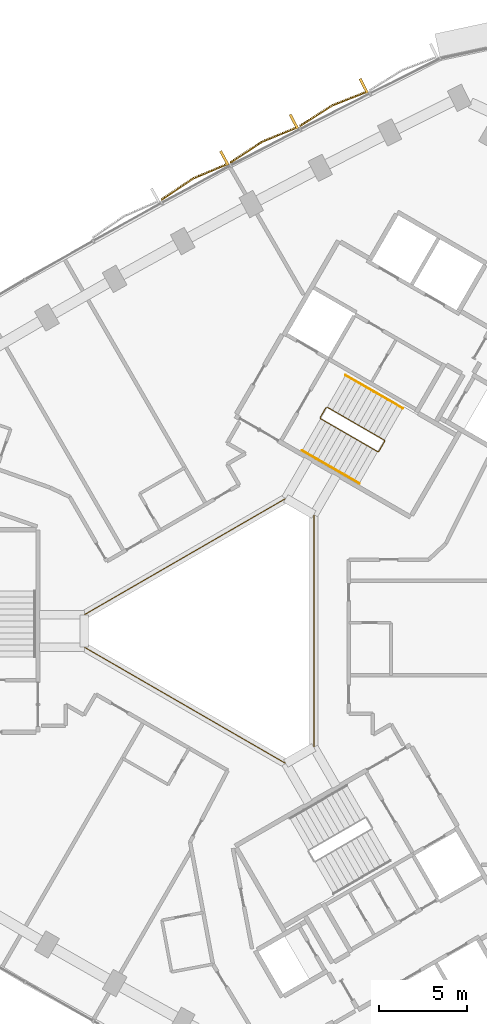
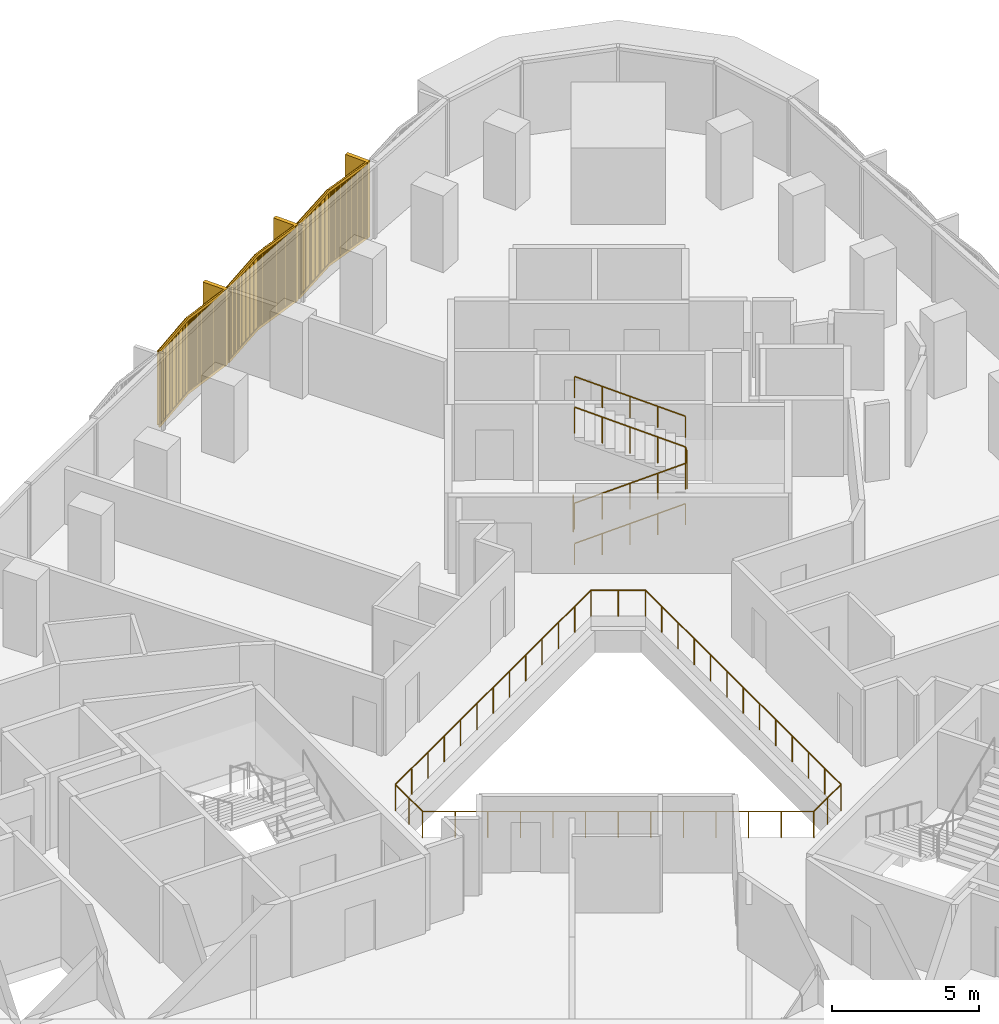
# One storey, part 14 of 15: 4 railings, 3 coverings.
"""IFC4 building model written with IfcOpenShell, lengths in metres."""

import ifcopenshell
import ifcopenshell.guid

model = None  # the IFC model being written
_history = None  # IfcOwnerHistory: only IFC2X3 demands one
_inside = {}  # id of a spatial element -> (the spatial element, [elements in it])
_under = {}  # id of a project, library or spatial element -> (it, [spatial elements below it])
_declared = {}  # id of a project -> (the project, [libraries it declares])
_typed = {}  # id of a type object -> (the type object, [elements of that type])
_made_of = {}  # id of a material, layer set ... -> (it, [elements and type objects made of it])


def new_model(schema):
    """Start an empty IFC model of exactly this schema.

    Asked for "IFC4X3", IfcOpenShell would pick the latest addendum, in which some entities
    have other attributes; the version numbers below select the first issue.
    IFC2X3 requires an IfcOwnerHistory on every rooted entity: one is made here for all.
    """
    global model, _history
    if schema == "IFC4X3":
        model = ifcopenshell.file(schema_version=(4, 3, 0, 0))
    else:
        model = ifcopenshell.file(schema=schema)
    _inside.clear()
    _under.clear()
    _declared.clear()
    _typed.clear()
    _made_of.clear()
    _history = None
    if model.schema == "IFC2X3":
        org = make("IfcOrganization", Name="unknown")
        user = make(
            "IfcPersonAndOrganization",
            ThePerson=make("IfcPerson", FamilyName="unknown"),
            TheOrganization=org,
        )
        app = make(
            "IfcApplication",
            ApplicationDeveloper=org,
            Version="unknown",
            ApplicationFullName="unknown",
            ApplicationIdentifier="unknown",
        )
        _history = make(
            "IfcOwnerHistory",
            OwningUser=user,
            OwningApplication=app,
            ChangeAction="ADDED",
            CreationDate=0,
        )
    return model


def make(cls, **values):
    """One entity of the class cls with the attributes given. An attribute that is None is left unset."""
    return model.create_entity(
        cls, **{name: value for name, value in values.items() if value is not None}
    )


def rooted(cls, **values):
    """An entity with a GlobalId (a new one), such as an element, a storey or a relation."""
    return make(cls, GlobalId=ifcopenshell.guid.new(), OwnerHistory=_history, **values)


def si_unit(unit_type, name, prefix=None):
    """IfcSIUnit, for example si_unit("LENGTHUNIT", "METRE", prefix="MILLI")."""
    return make("IfcSIUnit", UnitType=unit_type, Prefix=prefix, Name=name)


def assignment(units):
    """IfcUnitAssignment: the units of a project."""
    return None if units is None else make("IfcUnitAssignment", Units=units)


def point(xyz):
    """IfcCartesianPoint."""
    return None if xyz is None else make("IfcCartesianPoint", Coordinates=xyz)


def direction(xyz):
    """IfcDirection."""
    return None if xyz is None else make("IfcDirection", DirectionRatios=xyz)


def frame(location, z_axis=None, x_axis=None):
    """IfcAxis2Placement3D, a coordinate frame: its origin and axes. An axis left out is left unset."""
    return make(
        "IfcAxis2Placement3D",
        Location=point(location),
        Axis=direction(z_axis),
        RefDirection=direction(x_axis),
    )


def frame_2d(location, x_axis=None):
    """IfcAxis2Placement2D, a coordinate frame in the plane: its origin and x axis."""
    return make(
        "IfcAxis2Placement2D", Location=point(location), RefDirection=direction(x_axis)
    )


def origin():
    """The frame at (0, 0, 0) with its axes left unset."""
    return frame((0.0, 0.0, 0.0))


def origin_2d():
    """The frame at (0, 0) in the plane with its x axis left unset."""
    return frame_2d((0.0, 0.0))


def place(relative_to, where):
    """IfcLocalPlacement: puts the frame where relative to a parent placement (None: the world)."""
    return make(
        "IfcLocalPlacement", PlacementRelTo=relative_to, RelativePlacement=where
    )


def context(
    kind, dimensions, precision=None, world=None, true_north=None, identifier=None
):
    """IfcGeometricRepresentationContext, for example the 3D "Model" context."""
    return make(
        "IfcGeometricRepresentationContext",
        ContextIdentifier=identifier,
        ContextType=kind,
        CoordinateSpaceDimension=dimensions,
        Precision=precision,
        WorldCoordinateSystem=world,
        TrueNorth=true_north,
    )


def subcontext(parent, identifier, kind, view, scale=None):
    """IfcGeometricRepresentationSubContext, for example "Body" below "Model"."""
    return make(
        "IfcGeometricRepresentationSubContext",
        ContextIdentifier=identifier,
        ContextType=kind,
        ParentContext=parent,
        TargetScale=scale,
        TargetView=view,
    )


def project(units=None, contexts=None):
    """IfcProject with its units and contexts."""
    return rooted(
        "IfcProject",
        Name="project",
        RepresentationContexts=contexts,
        UnitsInContext=assignment(units),
    )


def spatial(cls, under=None, at=None, **own):
    """A site, building, storey or space (cls), placed at a placement, below another one or the project."""
    s = rooted(cls, ObjectPlacement=at, **own)
    if under is not None:
        _under.setdefault(under.id(), (under, []))[1].append(s)
    return s


def profile(cls, at=None, kind="AREA", **sizes):
    """A parametric profile (cls). Its sizes go by their IFC names, for example OverallWidth=200.0."""
    return make(cls, ProfileType=kind, Position=at, **sizes)


def rectangle(**sizes):
    """IfcRectangleProfileDef."""
    return profile("IfcRectangleProfileDef", **sizes)


def circle(**sizes):
    """IfcCircleProfileDef."""
    return profile("IfcCircleProfileDef", **sizes)


def extrude(swept, where, along, depth):
    """IfcExtrudedAreaSolid: the profile swept, set in the frame where, extruded along a direction by depth."""
    return make(
        "IfcExtrudedAreaSolid",
        SweptArea=swept,
        Position=where,
        ExtrudedDirection=direction(along),
        Depth=depth,
    )


def shape(context_of_items, identifier, shape_type, items):
    """IfcShapeRepresentation: the items that make up one representation, for example the "Body"."""
    return make(
        "IfcShapeRepresentation",
        ContextOfItems=context_of_items,
        RepresentationIdentifier=identifier,
        RepresentationType=shape_type,
        Items=items,
    )


def source(mapping_origin, context_of_items, identifier, shape_type, items):
    """IfcRepresentationMap: a shape defined once, which mapped items show again and again."""
    return make(
        "IfcRepresentationMap",
        MappingOrigin=mapping_origin,
        MappedRepresentation=shape(context_of_items, identifier, shape_type, items),
    )


def transform(
    local_origin,
    x_axis=None,
    y_axis=None,
    z_axis=None,
    scale=None,
    scale2=None,
    scale3=None,
    uniform=True,
):
    """IfcCartesianTransformationOperator3D, or its non-uniform kind. x_axis, y_axis, z_axis: its Axis1, 2, 3."""
    if uniform:
        return make(
            "IfcCartesianTransformationOperator3D",
            Axis1=direction(x_axis),
            Axis2=direction(y_axis),
            LocalOrigin=point(local_origin),
            Scale=scale,
            Axis3=direction(z_axis),
        )
    return make(
        "IfcCartesianTransformationOperator3DnonUniform",
        Axis1=direction(x_axis),
        Axis2=direction(y_axis),
        LocalOrigin=point(local_origin),
        Scale=scale,
        Axis3=direction(z_axis),
        Scale2=scale2,
        Scale3=scale3,
    )


def mapped(mapping_source, mapping_target):
    """IfcMappedItem: shows the shape of a source again, moved by a transform."""
    return make(
        "IfcMappedItem", MappingSource=mapping_source, MappingTarget=mapping_target
    )


def material(Name=None, Category=None):
    """IfcMaterial."""
    return make("IfcMaterial", Name=Name, Category=Category)


def made_of(thing, what):
    """Note that an element or type object is made of a material, layer set ...; save() writes the relation."""
    if what is not None:
        _made_of.setdefault(what.id(), (what, []))[1].append(thing)
    return thing


def type_object(cls, material=None, **own):
    """A type object (cls), such as IfcWallType, which elements share."""
    return made_of(rooted(cls, **own), material)


def element(
    cls,
    number,
    at=None,
    inside=None,
    cuts=None,
    type_object=None,
    material=None,
    context=None,
    identifier="Body",
    shape_type=None,
    held_by="IfcProductDefinitionShape",
    body=None,
    shapes=None,
    **own,
):
    """One element of the class cls, such as IfcWall. Its Tag is "e" and its number.

    at: its placement. inside: the storey or other place that contains it. cuts: it is an
    opening in that element (IfcRelVoidsElement). A single representation is given by context,
    identifier, shape_type and body (its items); several are given by shapes. held_by: the class
    of the entity that holds the representations. save() writes the other relations.
    """
    e = rooted(cls, Tag="e%d" % number, ObjectPlacement=at, **own)
    if body is not None:
        shapes = [shape(context, identifier, shape_type, body)]
    if shapes is not None:
        e.Representation = make(held_by, Representations=shapes)
    if inside is not None:
        _inside.setdefault(inside.id(), (inside, []))[1].append(e)
    if cuts is not None:
        rooted(
            "IfcRelVoidsElement", RelatingBuildingElement=cuts, RelatedOpeningElement=e
        )
    if type_object is not None:
        _typed.setdefault(type_object.id(), (type_object, []))[1].append(e)
    return made_of(e, material)


def aggregate(whole, parts):
    """IfcRelAggregates: a whole, such as a stair, and the parts it consists of."""
    return rooted("IfcRelAggregates", RelatingObject=whole, RelatedObjects=parts)


def save(model, path):
    """Write the relations noted so far, then the file.

    IfcRelAggregates (storeys below a building ...), IfcRelContainedInSpatialStructure (elements
    in a storey), IfcRelDefinesByType, IfcRelAssociatesMaterial and IfcRelDeclares: one each for
    every whole, place, type object, material and project.
    """
    for whole, parts in _under.values():
        aggregate(whole, parts)
    for where, things in _inside.values():
        rooted(
            "IfcRelContainedInSpatialStructure",
            RelatedElements=things,
            RelatingStructure=where,
        )
    for kind, things in _typed.values():
        rooted("IfcRelDefinesByType", RelatedObjects=things, RelatingType=kind)
    for what, things in _made_of.values():
        rooted("IfcRelAssociatesMaterial", RelatedObjects=things, RelatingMaterial=what)
    for by, libraries in _declared.values():
        rooted("IfcRelDeclares", RelatingContext=by, RelatedDefinitions=libraries)
    model.write(path)


model = new_model("IFC4")

# Units and contexts
model_context = context("Model", 3, precision=1e-05, world=origin(), true_north=direction((0.0, 1.0)))
body_context = subcontext(model_context, "Body", "Model", "MODEL_VIEW")
ifc_project = project(units=[si_unit("LENGTHUNIT", "METRE"), si_unit("AREAUNIT", "SQUARE_METRE"), si_unit("VOLUMEUNIT", "CUBIC_METRE"), si_unit("PLANEANGLEUNIT", "RADIAN"), si_unit("MASSUNIT", "GRAM", prefix="KILO")], contexts=[model_context])

# Site, building, storey
site_placement = place(None, origin())
site = spatial("IfcSite", under=ifc_project, at=site_placement, CompositionType="ELEMENT")
building_placement = place(site_placement, origin())
building = spatial("IfcBuilding", under=site, at=building_placement, Name="Tamra Quay Hotel Tower", CompositionType="ELEMENT")
storey_placement = place(building_placement, frame((0.0, 0.0, 97.39990234375)))
storey = spatial("IfcBuildingStorey", under=building, at=storey_placement, Name="L23", CompositionType="ELEMENT", Elevation=97.39990234375)

# Railings
ifc_material_1 = material(Name="Guard atrium edge 1100")
railing_type_1 = type_object("IfcRailingType", Name="Guard atrium edge 1100", PredefinedType="GUARDRAIL", material=ifc_material_1)
railing_1_placement = place(storey_placement, frame((4.89990234375, -6.639892578125, 0.0)))
element("IfcRailing", 1, at=railing_1_placement, inside=storey, type_object=railing_type_1, Name="G-A", PredefinedType="GUARDRAIL", context=body_context, shape_type="SweptSolid", body=[
    extrude(circle(Radius=0.02392578125, at=origin_2d()), frame((0.0, 0.0, 1.076171875), z_axis=(-0.866161379324, -0.499764409465, 0.0), x_axis=(0.499764409465, -0.866161379324, 0.0)), (0.0, 0.0, 1.0), 1.84716796875),
    extrude(circle(Radius=0.02392578125, at=origin_2d()), frame((-1.599853515625, -0.923095703125, 1.076171875), z_axis=(-0.866045362687, 0.499965428574, 0.0), x_axis=(-0.499965428574, -0.866045362687, 0.0)), (0.0, 0.0, 1.0), 13.27880859375),
    extrude(circle(Radius=0.02392578125, at=origin_2d()), frame((-13.099853515625, 5.7158203125, 1.076171875), z_axis=(0.0, 1.0, 0.0), x_axis=(-1.0, 0.0, 0.0)), (0.0, 0.0, 1.0), 1.84814453125),
    extrude(circle(Radius=0.02392578125, at=origin_2d()), frame((-13.099853515625, 7.56396484375, 1.076171875), z_axis=(0.866045362687, 0.499965428574, 0.0), x_axis=(-0.499965428574, 0.866045362687, 0.0)), (0.0, 0.0, 1.0), 13.27880859375),
    extrude(circle(Radius=0.02392578125, at=origin_2d()), frame((-1.599853515625, 14.202880859375, 1.076171875), z_axis=(0.866161379324, -0.499764409465, 0.0), x_axis=(0.499764409465, 0.866161379324, 0.0)), (0.0, 0.0, 1.0), 1.84716796875),
    extrude(circle(Radius=0.02392578125, at=origin_2d()), frame((0.0, 13.27978515625, 1.076171875), z_axis=(0.0, -1.0, 0.0), x_axis=(1.0, 0.0, 0.0)), (0.0, 0.0, 1.0), 13.27978515625),
    extrude(circle(Radius=0.02099609375, at=origin_2d()), origin(), (0.0, 0.0, 1.0), 1.052001953125),
    extrude(circle(Radius=0.02099609375, at=origin_2d()), frame((-0.7998046875, -0.46142578125, 0.0)), (0.0, 0.0, 1.0), 1.052001953125),
    extrude(circle(Radius=0.02099609375, at=origin_2d()), frame((-1.599853515625, -0.923095703125, 0.0)), (0.0, 0.0, 1.0), 1.052001953125),
    extrude(circle(Radius=0.02099609375, at=origin_2d()), frame((-2.55810546875, -0.369873046875, 0.0)), (0.0, 0.0, 1.0), 1.052001953125),
    extrude(circle(Radius=0.02099609375, at=origin_2d()), frame((-3.5166015625, 0.183349609375, 0.0)), (0.0, 0.0, 1.0), 1.052001953125),
    extrude(circle(Radius=0.02099609375, at=origin_2d()), frame((-4.474853515625, 0.736572265625, 0.0)), (0.0, 0.0, 1.0), 1.052001953125),
    extrude(circle(Radius=0.02099609375, at=origin_2d()), frame((-5.43310546875, 1.289794921875, 0.0)), (0.0, 0.0, 1.0), 1.052001953125),
    extrude(circle(Radius=0.02099609375, at=origin_2d()), frame((-6.3916015625, 1.843017578125, 0.0)), (0.0, 0.0, 1.0), 1.052001953125),
    extrude(circle(Radius=0.02099609375, at=origin_2d()), frame((-7.349853515625, 2.396484375, 0.0)), (0.0, 0.0, 1.0), 1.052001953125),
    extrude(circle(Radius=0.02099609375, at=origin_2d()), frame((-8.30810546875, 2.94970703125, 0.0)), (0.0, 0.0, 1.0), 1.052001953125),
    extrude(circle(Radius=0.02099609375, at=origin_2d()), frame((-9.2666015625, 3.5029296875, 0.0)), (0.0, 0.0, 1.0), 1.052001953125),
    extrude(circle(Radius=0.02099609375, at=origin_2d()), frame((-10.224853515625, 4.05615234375, 0.0)), (0.0, 0.0, 1.0), 1.052001953125),
    extrude(circle(Radius=0.02099609375, at=origin_2d()), frame((-11.18310546875, 4.609375, 0.0)), (0.0, 0.0, 1.0), 1.052001953125),
    extrude(circle(Radius=0.02099609375, at=origin_2d()), frame((-12.1416015625, 5.16259765625, 0.0)), (0.0, 0.0, 1.0), 1.052001953125),
    extrude(circle(Radius=0.02099609375, at=origin_2d()), frame((-13.099853515625, 5.7158203125, 0.0)), (0.0, 0.0, 1.0), 1.052001953125),
    extrude(circle(Radius=0.02099609375, at=origin_2d()), frame((-13.099853515625, 6.639892578125, 0.0)), (0.0, 0.0, 1.0), 1.052001953125),
    extrude(circle(Radius=0.02099609375, at=origin_2d()), frame((-13.099853515625, 7.56396484375, 0.0)), (0.0, 0.0, 1.0), 1.052001953125),
    extrude(circle(Radius=0.02099609375, at=origin_2d()), frame((-12.1416015625, 8.1171875, 0.0)), (0.0, 0.0, 1.0), 1.052001953125),
    extrude(circle(Radius=0.02099609375, at=origin_2d()), frame((-11.18310546875, 8.67041015625, 0.0)), (0.0, 0.0, 1.0), 1.052001953125),
    extrude(circle(Radius=0.02099609375, at=origin_2d()), frame((-10.224853515625, 9.2236328125, 0.0)), (0.0, 0.0, 1.0), 1.052001953125),
    extrude(circle(Radius=0.02099609375, at=origin_2d()), frame((-9.2666015625, 9.77685546875, 0.0)), (0.0, 0.0, 1.0), 1.052001953125),
    extrude(circle(Radius=0.02099609375, at=origin_2d()), frame((-8.30810546875, 10.330078125, 0.0)), (0.0, 0.0, 1.0), 1.052001953125),
    extrude(circle(Radius=0.02099609375, at=origin_2d()), frame((-7.349853515625, 10.88330078125, 0.0)), (0.0, 0.0, 1.0), 1.052001953125),
    extrude(circle(Radius=0.02099609375, at=origin_2d()), frame((-6.3916015625, 11.436767578125, 0.0)), (0.0, 0.0, 1.0), 1.052001953125),
    extrude(circle(Radius=0.02099609375, at=origin_2d()), frame((-5.43310546875, 11.989990234375, 0.0)), (0.0, 0.0, 1.0), 1.052001953125),
    extrude(circle(Radius=0.02099609375, at=origin_2d()), frame((-4.474853515625, 12.543212890625, 0.0)), (0.0, 0.0, 1.0), 1.052001953125),
    extrude(circle(Radius=0.02099609375, at=origin_2d()), frame((-3.5166015625, 13.096435546875, 0.0)), (0.0, 0.0, 1.0), 1.052001953125),
    extrude(circle(Radius=0.02099609375, at=origin_2d()), frame((-2.55810546875, 13.649658203125, 0.0)), (0.0, 0.0, 1.0), 1.052001953125),
    extrude(circle(Radius=0.02099609375, at=origin_2d()), frame((-1.599853515625, 14.202880859375, 0.0)), (0.0, 0.0, 1.0), 1.052001953125),
    extrude(circle(Radius=0.02099609375, at=origin_2d()), frame((-0.7998046875, 13.7412109375, 0.0)), (0.0, 0.0, 1.0), 1.052001953125),
    extrude(circle(Radius=0.02099609375, at=origin_2d()), frame((0.0, 13.27978515625, 0.0)), (0.0, 0.0, 1.0), 1.052001953125),
    extrude(circle(Radius=0.02099609375, at=origin_2d()), frame((0.0, 12.173095703125, 0.0)), (0.0, 0.0, 1.0), 1.052001953125),
    extrude(circle(Radius=0.02099609375, at=origin_2d()), frame((0.0, 11.06640625, 0.0)), (0.0, 0.0, 1.0), 1.052001953125),
    extrude(circle(Radius=0.02099609375, at=origin_2d()), frame((0.0, 9.9599609375, 0.0)), (0.0, 0.0, 1.0), 1.052001953125),
    extrude(circle(Radius=0.02099609375, at=origin_2d()), frame((0.0, 8.853271484375, 0.0)), (0.0, 0.0, 1.0), 1.052001953125),
    extrude(circle(Radius=0.02099609375, at=origin_2d()), frame((0.0, 7.74658203125, 0.0)), (0.0, 0.0, 1.0), 1.052001953125),
    extrude(circle(Radius=0.02099609375, at=origin_2d()), frame((0.0, 6.639892578125, 0.0)), (0.0, 0.0, 1.0), 1.052001953125),
    extrude(circle(Radius=0.02099609375, at=origin_2d()), frame((0.0, 5.533203125, 0.0)), (0.0, 0.0, 1.0), 1.052001953125),
    extrude(circle(Radius=0.02099609375, at=origin_2d()), frame((0.0, 4.426513671875, 0.0)), (0.0, 0.0, 1.0), 1.052001953125),
    extrude(circle(Radius=0.02099609375, at=origin_2d()), frame((0.0, 3.31982421875, 0.0)), (0.0, 0.0, 1.0), 1.052001953125),
    extrude(circle(Radius=0.02099609375, at=origin_2d()), frame((0.0, 2.21337890625, 0.0)), (0.0, 0.0, 1.0), 1.052001953125),
    extrude(circle(Radius=0.02099609375, at=origin_2d()), frame((0.0, 1.106689453125, 0.0)), (0.0, 0.0, 1.0), 1.052001953125),
])
ifc_material_2 = material(Name="Stair guard 1100")
railing_type_2 = type_object("IfcRailingType", Name="Stair guard 1100", PredefinedType="GUARDRAIL", material=ifc_material_2)
railing_2_placement = place(storey_placement, frame((5.595458984375, 12.751953125, 0.0)))
element("IfcRailing", 2, at=railing_2_placement, inside=storey, type_object=railing_type_2, Name="GR", PredefinedType="GUARDRAIL", context=body_context, shape_type="SweptSolid", body=[
    extrude(circle(Radius=0.02392578125, at=origin_2d()), frame((0.0, 0.0, 1.076171875), z_axis=(-0.499765215335, -0.866160914346, 0.0), x_axis=(0.866160914346, -0.499765215335, 0.0)), (0.0, 0.0, 1.0), 0.658935546875),
    extrude(circle(Radius=0.02392578125, at=origin_2d()), frame((-0.329345703125, -0.57080078125, 1.076171875), z_axis=(0.110378772244, -0.410609032747, 0.905105932399), x_axis=(0.965715946433, 0.259601060869, 0.0)), (0.0, 0.0, 1.0), 0.165771484375),
    extrude(circle(Radius=0.02392578125, at=origin_2d()), frame((-0.31103515625, -0.638916015625, 1.22607421875), z_axis=(0.793078462799, -0.457933869594, 0.401650498471), x_axis=(0.500040788363, 0.866001853331, 0.0)), (0.0, 0.0, 1.0), 4.10791015625),
    extrude(circle(Radius=0.02392578125, at=origin_2d()), frame((2.94677734375, -2.52001953125, 2.8759765625), z_axis=(0.965948051503, 0.258736085224, 0.0), x_axis=(-0.258736085224, 0.965948051503, 0.0)), (0.0, 0.0, 1.0), 0.07080078125),
    extrude(circle(Radius=0.02392578125, at=origin_2d()), frame((3.01513671875, -2.501708984375, 2.8759765625), z_axis=(0.500043078269, 0.866000531106, 0.0), x_axis=(-0.866000531106, 0.500043078269, 0.0)), (0.0, 0.0, 1.0), 0.6591796875),
    extrude(circle(Radius=0.02392578125, at=origin_2d()), frame((3.3447265625, -1.930908203125, 2.8759765625), z_axis=(-0.110378772244, 0.410609032747, 0.905105932399), x_axis=(-0.965715946433, -0.259601060869, 0.0)), (0.0, 0.0, 1.0), 0.165771484375),
    extrude(circle(Radius=0.02392578125, at=origin_2d()), frame((3.326416015625, -1.86279296875, 3.0263671875), z_axis=(-0.793100512587, 0.457912285461, 0.401631567183), x_axis=(-0.500012686397, -0.866018079166, 0.0)), (0.0, 0.0, 1.0), 4.10791015625),
    extrude(circle(Radius=0.02099609375, at=origin_2d()), origin(), (0.0, 0.0, 1.0), 1.052001953125),
    extrude(circle(Radius=0.02099609375, at=origin_2d()), frame((-0.329345703125, -0.57080078125, 0.0)), (0.0, 0.0, 1.0), 1.052001953125),
    extrude(circle(Radius=0.02099609375, at=origin_2d()), frame((-0.31103515625, -0.638916015625, 0.150146484375)), (0.0, 0.0, 1.0), 1.052001953125),
    extrude(circle(Radius=0.02099609375, at=origin_2d()), frame((0.50341796875, -1.109130859375, 0.5625)), (0.0, 0.0, 1.0), 1.052001953125),
    extrude(circle(Radius=0.02099609375, at=origin_2d()), frame((1.31787109375, -1.57958984375, 0.97509765625)), (0.0, 0.0, 1.0), 1.052001953125),
    extrude(circle(Radius=0.02099609375, at=origin_2d()), frame((2.13232421875, -2.0498046875, 1.3876953125)), (0.0, 0.0, 1.0), 1.052001953125),
    extrude(circle(Radius=0.02099609375, at=origin_2d()), frame((2.94677734375, -2.52001953125, 1.800048828125)), (0.0, 0.0, 1.0), 1.052001953125),
    extrude(circle(Radius=0.02099609375, at=origin_2d()), frame((3.01513671875, -2.501708984375, 1.800048828125)), (0.0, 0.0, 1.0), 1.052001953125),
    extrude(circle(Radius=0.02099609375, at=origin_2d()), frame((3.3447265625, -1.930908203125, 1.800048828125)), (0.0, 0.0, 1.0), 1.052001953125),
    extrude(circle(Radius=0.02099609375, at=origin_2d()), frame((3.326416015625, -1.86279296875, 1.9501953125)), (0.0, 0.0, 1.0), 1.052001953125),
    extrude(circle(Radius=0.02099609375, at=origin_2d()), frame((2.511962890625, -1.392578125, 2.36279296875)), (0.0, 0.0, 1.0), 1.052001953125),
    extrude(circle(Radius=0.02099609375, at=origin_2d()), frame((1.697265625, -0.92236328125, 2.775146484375)), (0.0, 0.0, 1.0), 1.052001953125),
    extrude(circle(Radius=0.02099609375, at=origin_2d()), frame((0.8828125, -0.451904296875, 3.1875)), (0.0, 0.0, 1.0), 1.052001953125),
    extrude(circle(Radius=0.02099609375, at=origin_2d()), frame((0.068359375, 0.018310546875, 3.60009765625)), (0.0, 0.0, 1.0), 1.052001953125),
])
ifc_material_3 = material(Name="Stair handrail 900")
railing_type_3 = type_object("IfcRailingType", Name="Stair handrail 900", PredefinedType="HANDRAIL", material=ifc_material_3)
railing_3_placement = place(storey_placement, frame((4.234375, 10.294189453125, 0.150146484375)))
element("IfcRailing", 3, at=railing_3_placement, inside=storey, type_object=railing_type_3, Name="HR", PredefinedType="HANDRAIL", context=body_context, shape_type="SweptSolid", body=[
    extrude(circle(Radius=0.02392578125, at=origin_2d()), frame((0.0, 0.0, 0.8759765625), z_axis=(0.793122095483, -0.45786531462, 0.401642496911), x_axis=(0.499964013922, 0.86604617936, 0.0)), (0.0, 0.0, 1.0), 4.10791015625),
    extrude(circle(Radius=0.02099609375, at=origin_2d()), origin(), (0.0, 0.0, 1.0), 0.851806640625),
    extrude(circle(Radius=0.02099609375, at=origin_2d()), frame((0.814453125, -0.47021484375, 0.41259765625)), (0.0, 0.0, 1.0), 0.851806640625),
    extrude(circle(Radius=0.02099609375, at=origin_2d()), frame((1.62890625, -0.9404296875, 0.824951171875)), (0.0, 0.0, 1.0), 0.851806640625),
    extrude(circle(Radius=0.02099609375, at=origin_2d()), frame((2.443603515625, -1.41064453125, 1.2373046875)), (0.0, 0.0, 1.0), 0.851806640625),
    extrude(circle(Radius=0.02099609375, at=origin_2d()), frame((3.258056640625, -1.880859375, 1.64990234375)), (0.0, 0.0, 1.0), 0.851806640625),
])
railing_4_placement = place(storey_placement, frame((9.971923828125, 12.7080078125, 1.9501953125)))
element("IfcRailing", 4, at=railing_4_placement, inside=storey, type_object=railing_type_3, Name="HR", PredefinedType="HANDRAIL", context=body_context, shape_type="SweptSolid", body=[
    extrude(circle(Radius=0.02392578125, at=origin_2d()), frame((0.0, 0.0, 0.8759765625), z_axis=(-0.793122095483, 0.45786531462, 0.401642496911), x_axis=(-0.499964013922, -0.86604617936, 0.0)), (0.0, 0.0, 1.0), 4.10791015625),
    extrude(circle(Radius=0.02099609375, at=origin_2d()), origin(), (0.0, 0.0, 1.0), 0.851806640625),
    extrude(circle(Radius=0.02099609375, at=origin_2d()), frame((-0.814453125, 0.47021484375, 0.41259765625)), (0.0, 0.0, 1.0), 0.851806640625),
    extrude(circle(Radius=0.02099609375, at=origin_2d()), frame((-1.62890625, 0.9404296875, 0.824951171875)), (0.0, 0.0, 1.0), 0.851806640625),
    extrude(circle(Radius=0.02099609375, at=origin_2d()), frame((-2.443603515625, 1.41064453125, 1.2373046875)), (0.0, 0.0, 1.0), 0.851806640625),
    extrude(circle(Radius=0.02099609375, at=origin_2d()), frame((-3.258056640625, 1.880859375, 1.64990234375)), (0.0, 0.0, 1.0), 0.851806640625),
])

# Coverings
ifc_material_4 = material(Name="Terracotta baguette extruded", Category="masonry")
covering_type = type_object("IfcCoveringType", Name="BAGUETTE SCREEN NW-V H3175", PredefinedType="USERDEFINED", material=ifc_material_4)
shared_shape = source(origin(), body_context, "Body", "SweptSolid", [
    extrude(rectangle(XDim=2.20263671875, YDim=0.06005859375, at=frame_2d((1.101318359375, 0.030029296875))), frame((-2.1982421875, -0.0576171875, -0.1201171875), z_axis=(0.0, 0.0, 1.0), x_axis=(0.995396198367, -0.09584575252, 0.0)), (0.0, 0.0, 1.0), 0.1201171875),
    extrude(rectangle(XDim=2.20263671875, YDim=0.06005859375, at=frame_2d((1.101318359375, 0.030029296875))), frame((-2.1982421875, -0.0576171875, -3.175048828125), z_axis=(0.0, 0.0, 1.0), x_axis=(0.995396198367, -0.09584575252, 0.0)), (0.0, 0.0, 1.0), 0.1201171875),
    extrude(rectangle(XDim=0.070068359375, YDim=0.10009765625, at=frame_2d((0.03515625, 0.050048828125))), frame((-2.177734375, -0.1328125, -3.114990234375)), (0.0, 0.0, 1.0), 3.054931640625),
    extrude(rectangle(XDim=0.070068359375, YDim=0.10009765625, at=frame_2d((0.03515625, 0.050048828125))), frame((-2.078125, -0.142333984375, -3.114990234375)), (0.0, 0.0, 1.0), 3.054931640625),
    extrude(rectangle(XDim=0.070068359375, YDim=0.10009765625, at=frame_2d((0.03515625, 0.050048828125))), frame((-1.978271484375, -0.152099609375, -3.114990234375)), (0.0, 0.0, 1.0), 3.054931640625),
    extrude(rectangle(XDim=0.070068359375, YDim=0.10009765625, at=frame_2d((0.03515625, 0.050048828125))), frame((-1.878662109375, -0.16162109375, -3.114990234375)), (0.0, 0.0, 1.0), 3.054931640625),
    extrude(rectangle(XDim=0.070068359375, YDim=0.10009765625, at=frame_2d((0.03515625, 0.050048828125))), frame((-1.779052734375, -0.171142578125, -3.114990234375)), (0.0, 0.0, 1.0), 3.054931640625),
    extrude(rectangle(XDim=0.070068359375, YDim=0.10009765625, at=frame_2d((0.03515625, 0.050048828125))), frame((-1.679443359375, -0.1806640625, -3.114990234375)), (0.0, 0.0, 1.0), 3.054931640625),
    extrude(rectangle(XDim=0.070068359375, YDim=0.10009765625, at=frame_2d((0.03515625, 0.050048828125))), frame((-1.579833984375, -0.1904296875, -3.114990234375)), (0.0, 0.0, 1.0), 3.054931640625),
    extrude(rectangle(XDim=0.070068359375, YDim=0.10009765625, at=frame_2d((0.03515625, 0.050048828125))), frame((-1.47998046875, -0.199951171875, -3.114990234375)), (0.0, 0.0, 1.0), 3.054931640625),
    extrude(rectangle(XDim=0.070068359375, YDim=0.10009765625, at=frame_2d((0.03515625, 0.050048828125))), frame((-1.38037109375, -0.20947265625, -3.114990234375)), (0.0, 0.0, 1.0), 3.054931640625),
    extrude(rectangle(XDim=0.070068359375, YDim=0.10009765625, at=frame_2d((0.03515625, 0.050048828125))), frame((-1.28076171875, -0.21923828125, -3.114990234375)), (0.0, 0.0, 1.0), 3.054931640625),
    extrude(rectangle(XDim=0.070068359375, YDim=0.10009765625, at=frame_2d((0.03515625, 0.050048828125))), frame((-1.18115234375, -0.228759765625, -3.114990234375)), (0.0, 0.0, 1.0), 3.054931640625),
    extrude(rectangle(XDim=0.070068359375, YDim=0.10009765625, at=frame_2d((0.03515625, 0.050048828125))), frame((-1.081298828125, -0.23828125, -3.114990234375)), (0.0, 0.0, 1.0), 3.054931640625),
    extrude(rectangle(XDim=0.070068359375, YDim=0.10009765625, at=frame_2d((0.03515625, 0.050048828125))), frame((-0.981689453125, -0.248046875, -3.114990234375)), (0.0, 0.0, 1.0), 3.054931640625),
    extrude(rectangle(XDim=0.070068359375, YDim=0.10009765625, at=frame_2d((0.03515625, 0.050048828125))), frame((-0.882080078125, -0.257568359375, -3.114990234375)), (0.0, 0.0, 1.0), 3.054931640625),
    extrude(rectangle(XDim=0.070068359375, YDim=0.10009765625, at=frame_2d((0.03515625, 0.050048828125))), frame((-0.782470703125, -0.26708984375, -3.114990234375)), (0.0, 0.0, 1.0), 3.054931640625),
    extrude(rectangle(XDim=0.070068359375, YDim=0.10009765625, at=frame_2d((0.03515625, 0.050048828125))), frame((-0.682861328125, -0.27685546875, -3.114990234375)), (0.0, 0.0, 1.0), 3.054931640625),
    extrude(rectangle(XDim=0.070068359375, YDim=0.10009765625, at=frame_2d((0.03515625, 0.050048828125))), frame((-0.583251953125, -0.286376953125, -3.114990234375)), (0.0, 0.0, 1.0), 3.054931640625),
    extrude(rectangle(XDim=0.070068359375, YDim=0.10009765625, at=frame_2d((0.03515625, 0.050048828125))), frame((-0.4833984375, -0.2958984375, -3.114990234375)), (0.0, 0.0, 1.0), 3.054931640625),
    extrude(rectangle(XDim=0.070068359375, YDim=0.10009765625, at=frame_2d((0.03515625, 0.050048828125))), frame((-0.3837890625, -0.305419921875, -3.114990234375)), (0.0, 0.0, 1.0), 3.054931640625),
    extrude(rectangle(XDim=0.070068359375, YDim=0.10009765625, at=frame_2d((0.03515625, 0.050048828125))), frame((-0.2841796875, -0.315185546875, -3.114990234375)), (0.0, 0.0, 1.0), 3.054931640625),
    extrude(rectangle(XDim=0.070068359375, YDim=0.10009765625, at=frame_2d((0.03515625, 0.050048828125))), frame((-0.1845703125, -0.32470703125, -3.114990234375)), (0.0, 0.0, 1.0), 3.054931640625),
    extrude(rectangle(XDim=0.070068359375, YDim=0.10009765625, at=frame_2d((0.03515625, 0.050048828125))), frame((-0.084716796875, -0.334228515625, -3.114990234375)), (0.0, 0.0, 1.0), 3.054931640625),
    extrude(rectangle(XDim=2.20263671875, YDim=0.06005859375, at=frame_2d((1.101318359375, 0.030029296875))), frame((0.005859375, -0.268798828125, -0.1201171875), z_axis=(0.0, 0.0, 1.0), x_axis=(0.995396198367, 0.09584575252, 0.0)), (0.0, 0.0, 1.0), 0.1201171875),
    extrude(rectangle(XDim=2.20263671875, YDim=0.06005859375, at=frame_2d((1.101318359375, 0.030029296875))), frame((0.005859375, -0.268798828125, -3.175048828125), z_axis=(0.0, 0.0, 1.0), x_axis=(0.995396198367, 0.09584575252, 0.0)), (0.0, 0.0, 1.0), 0.1201171875),
    extrude(rectangle(XDim=0.070068359375, YDim=0.10009765625, at=frame_2d((0.03515625, 0.050048828125))), frame((0.014892578125, -0.334228515625, -3.114990234375)), (0.0, 0.0, 1.0), 3.054931640625),
    extrude(rectangle(XDim=0.070068359375, YDim=0.10009765625, at=frame_2d((0.03515625, 0.050048828125))), frame((0.114501953125, -0.32470703125, -3.114990234375)), (0.0, 0.0, 1.0), 3.054931640625),
    extrude(rectangle(XDim=0.070068359375, YDim=0.10009765625, at=frame_2d((0.03515625, 0.050048828125))), frame((0.214111328125, -0.315185546875, -3.114990234375)), (0.0, 0.0, 1.0), 3.054931640625),
    extrude(rectangle(XDim=0.070068359375, YDim=0.10009765625, at=frame_2d((0.03515625, 0.050048828125))), frame((0.313720703125, -0.305419921875, -3.114990234375)), (0.0, 0.0, 1.0), 3.054931640625),
    extrude(rectangle(XDim=0.070068359375, YDim=0.10009765625, at=frame_2d((0.03515625, 0.050048828125))), frame((0.41357421875, -0.2958984375, -3.114990234375)), (0.0, 0.0, 1.0), 3.054931640625),
    extrude(rectangle(XDim=0.070068359375, YDim=0.10009765625, at=frame_2d((0.03515625, 0.050048828125))), frame((0.51318359375, -0.286376953125, -3.114990234375)), (0.0, 0.0, 1.0), 3.054931640625),
    extrude(rectangle(XDim=0.070068359375, YDim=0.10009765625, at=frame_2d((0.03515625, 0.050048828125))), frame((0.61279296875, -0.27685546875, -3.114990234375)), (0.0, 0.0, 1.0), 3.054931640625),
    extrude(rectangle(XDim=0.070068359375, YDim=0.10009765625, at=frame_2d((0.03515625, 0.050048828125))), frame((0.71240234375, -0.26708984375, -3.114990234375)), (0.0, 0.0, 1.0), 3.054931640625),
    extrude(rectangle(XDim=0.070068359375, YDim=0.10009765625, at=frame_2d((0.03515625, 0.050048828125))), frame((0.81201171875, -0.257568359375, -3.114990234375)), (0.0, 0.0, 1.0), 3.054931640625),
    extrude(rectangle(XDim=0.070068359375, YDim=0.10009765625, at=frame_2d((0.03515625, 0.050048828125))), frame((0.911865234375, -0.248046875, -3.114990234375)), (0.0, 0.0, 1.0), 3.054931640625),
    extrude(rectangle(XDim=0.070068359375, YDim=0.10009765625, at=frame_2d((0.03515625, 0.050048828125))), frame((1.011474609375, -0.23828125, -3.114990234375)), (0.0, 0.0, 1.0), 3.054931640625),
    extrude(rectangle(XDim=0.070068359375, YDim=0.10009765625, at=frame_2d((0.03515625, 0.050048828125))), frame((1.111083984375, -0.228759765625, -3.114990234375)), (0.0, 0.0, 1.0), 3.054931640625),
    extrude(rectangle(XDim=0.070068359375, YDim=0.10009765625, at=frame_2d((0.03515625, 0.050048828125))), frame((1.210693359375, -0.21923828125, -3.114990234375)), (0.0, 0.0, 1.0), 3.054931640625),
    extrude(rectangle(XDim=0.070068359375, YDim=0.10009765625, at=frame_2d((0.03515625, 0.050048828125))), frame((1.310302734375, -0.20947265625, -3.114990234375)), (0.0, 0.0, 1.0), 3.054931640625),
    extrude(rectangle(XDim=0.070068359375, YDim=0.10009765625, at=frame_2d((0.03515625, 0.050048828125))), frame((1.41015625, -0.199951171875, -3.114990234375)), (0.0, 0.0, 1.0), 3.054931640625),
    extrude(rectangle(XDim=0.070068359375, YDim=0.10009765625, at=frame_2d((0.03515625, 0.050048828125))), frame((1.509765625, -0.1904296875, -3.114990234375)), (0.0, 0.0, 1.0), 3.054931640625),
    extrude(rectangle(XDim=0.070068359375, YDim=0.10009765625, at=frame_2d((0.03515625, 0.050048828125))), frame((1.609375, -0.1806640625, -3.114990234375)), (0.0, 0.0, 1.0), 3.054931640625),
    extrude(rectangle(XDim=0.070068359375, YDim=0.10009765625, at=frame_2d((0.03515625, 0.050048828125))), frame((1.708984375, -0.171142578125, -3.114990234375)), (0.0, 0.0, 1.0), 3.054931640625),
    extrude(rectangle(XDim=0.070068359375, YDim=0.10009765625, at=frame_2d((0.03515625, 0.050048828125))), frame((1.80859375, -0.16162109375, -3.114990234375)), (0.0, 0.0, 1.0), 3.054931640625),
    extrude(rectangle(XDim=0.070068359375, YDim=0.10009765625, at=frame_2d((0.03515625, 0.050048828125))), frame((1.908447265625, -0.152099609375, -3.114990234375)), (0.0, 0.0, 1.0), 3.054931640625),
    extrude(rectangle(XDim=0.070068359375, YDim=0.10009765625, at=frame_2d((0.03515625, 0.050048828125))), frame((2.008056640625, -0.142333984375, -3.114990234375)), (0.0, 0.0, 1.0), 3.054931640625),
    extrude(rectangle(XDim=0.070068359375, YDim=0.10009765625, at=frame_2d((0.03515625, 0.050048828125))), frame((2.107666015625, -0.1328125, -3.114990234375)), (0.0, 0.0, 1.0), 3.054931640625),
    extrude(rectangle(XDim=0.14990234375, YDim=0.902099609375, at=frame_2d((0.074951171875, 0.451171875))), frame((-2.1923828125, -0.89990234375, -3.175048828125)), (0.0, 0.0, 1.0), 3.175048828125),
])
for number, where, z_axis, x_axis, name in (
    (5, (6.06494140625, 29.7470703125, 3.175048828125), (0.0, 0.0, 1.0), (-0.890544543472, -0.454896049765, 0.0), "Baguette screen L23.NW.f01"),
    (6, (2.092041015625, 27.689208984375, 3.175048828125), (0.0, 0.0, 1.0), (-0.885306192952, -0.465008542631, 0.0), "Baguette screen L23.NW.f02"),
    (7, (-1.857177734375, 25.5859375, 3.175048828125), (0.0, 0.0, 1.0), (-0.879945635118, -0.475074393371, 0.0), "Baguette screen L23.NW.f03"),
):
    element("IfcCovering", number, at=place(storey_placement, frame(where, z_axis=z_axis, x_axis=x_axis)), inside=storey, type_object=covering_type, Name=name, ObjectType="BAGUETTE SCREEN", PredefinedType="USERDEFINED", context=body_context, shape_type="MappedRepresentation", body=[
        mapped(shared_shape, transform((0.0, 0.0, 0.0), scale=1.0)),
    ])

save(model, "model.ifc")
